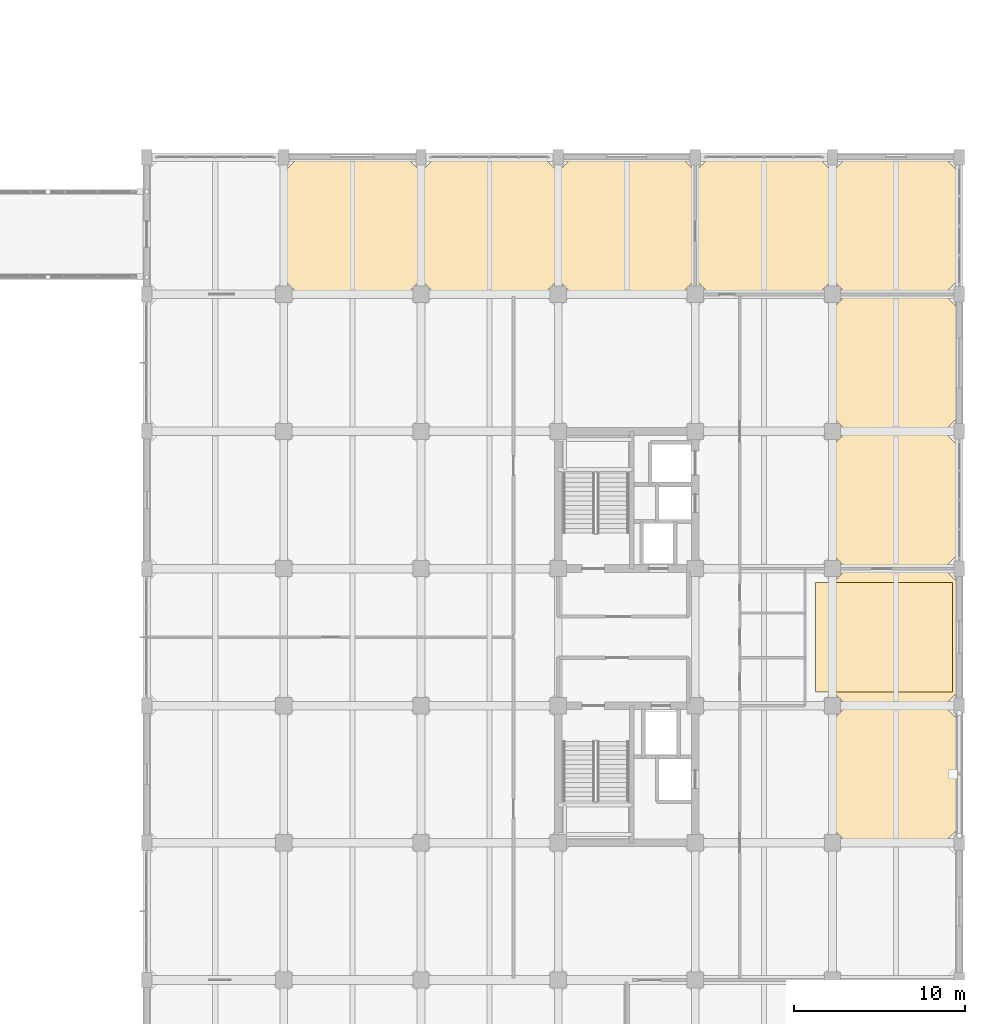
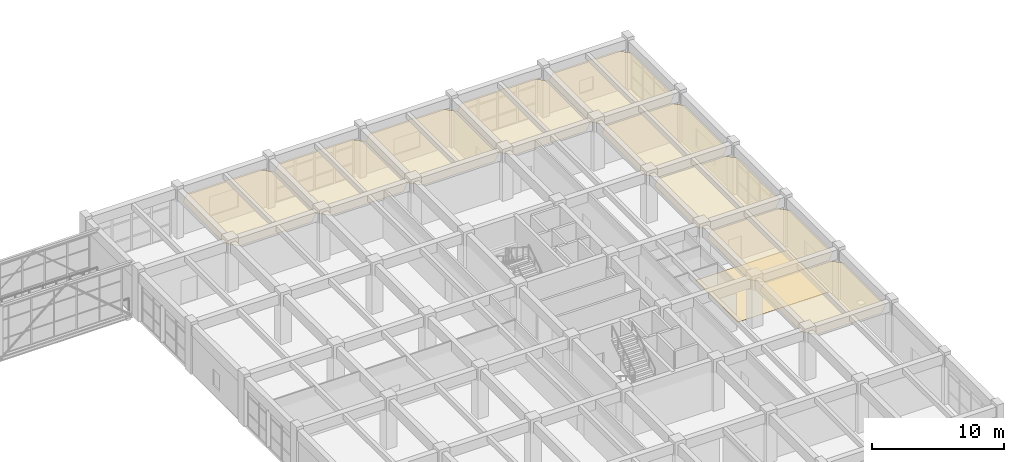
# One storey, part 248 of 248: 10 coverings.
"""IFC4 building model written with IfcOpenShell, lengths in metres."""

import ifcopenshell
import ifcopenshell.guid

model = None  # the IFC model being written
_history = None  # IfcOwnerHistory: only IFC2X3 demands one
_inside = {}  # id of a spatial element -> (the spatial element, [elements in it])
_under = {}  # id of a project, library or spatial element -> (it, [spatial elements below it])
_declared = {}  # id of a project -> (the project, [libraries it declares])
_typed = {}  # id of a type object -> (the type object, [elements of that type])
_made_of = {}  # id of a material, layer set ... -> (it, [elements and type objects made of it])


def new_model(schema):
    """Start an empty IFC model of exactly this schema.

    Asked for "IFC4X3", IfcOpenShell would pick the latest addendum, in which some entities
    have other attributes; the version numbers below select the first issue.
    IFC2X3 requires an IfcOwnerHistory on every rooted entity: one is made here for all.
    """
    global model, _history
    if schema == "IFC4X3":
        model = ifcopenshell.file(schema_version=(4, 3, 0, 0))
    else:
        model = ifcopenshell.file(schema=schema)
    _inside.clear()
    _under.clear()
    _declared.clear()
    _typed.clear()
    _made_of.clear()
    _history = None
    if model.schema == "IFC2X3":
        org = make("IfcOrganization", Name="unknown")
        user = make(
            "IfcPersonAndOrganization",
            ThePerson=make("IfcPerson", FamilyName="unknown"),
            TheOrganization=org,
        )
        app = make(
            "IfcApplication",
            ApplicationDeveloper=org,
            Version="unknown",
            ApplicationFullName="unknown",
            ApplicationIdentifier="unknown",
        )
        _history = make(
            "IfcOwnerHistory",
            OwningUser=user,
            OwningApplication=app,
            ChangeAction="ADDED",
            CreationDate=0,
        )
    return model


def make(cls, **values):
    """One entity of the class cls with the attributes given. An attribute that is None is left unset."""
    return model.create_entity(
        cls, **{name: value for name, value in values.items() if value is not None}
    )


def rooted(cls, **values):
    """An entity with a GlobalId (a new one), such as an element, a storey or a relation."""
    return make(cls, GlobalId=ifcopenshell.guid.new(), OwnerHistory=_history, **values)


def si_unit(unit_type, name, prefix=None):
    """IfcSIUnit, for example si_unit("LENGTHUNIT", "METRE", prefix="MILLI")."""
    return make("IfcSIUnit", UnitType=unit_type, Prefix=prefix, Name=name)


def assignment(units):
    """IfcUnitAssignment: the units of a project."""
    return None if units is None else make("IfcUnitAssignment", Units=units)


def point(xyz):
    """IfcCartesianPoint."""
    return None if xyz is None else make("IfcCartesianPoint", Coordinates=xyz)


def direction(xyz):
    """IfcDirection."""
    return None if xyz is None else make("IfcDirection", DirectionRatios=xyz)


def frame(location, z_axis=None, x_axis=None):
    """IfcAxis2Placement3D, a coordinate frame: its origin and axes. An axis left out is left unset."""
    return make(
        "IfcAxis2Placement3D",
        Location=point(location),
        Axis=direction(z_axis),
        RefDirection=direction(x_axis),
    )


def origin():
    """The frame at (0, 0, 0) with its axes left unset."""
    return frame((0.0, 0.0, 0.0))


def place(relative_to, where):
    """IfcLocalPlacement: puts the frame where relative to a parent placement (None: the world)."""
    return make(
        "IfcLocalPlacement", PlacementRelTo=relative_to, RelativePlacement=where
    )


def context(
    kind, dimensions, precision=None, world=None, true_north=None, identifier=None
):
    """IfcGeometricRepresentationContext, for example the 3D "Model" context."""
    return make(
        "IfcGeometricRepresentationContext",
        ContextIdentifier=identifier,
        ContextType=kind,
        CoordinateSpaceDimension=dimensions,
        Precision=precision,
        WorldCoordinateSystem=world,
        TrueNorth=true_north,
    )


def subcontext(parent, identifier, kind, view, scale=None):
    """IfcGeometricRepresentationSubContext, for example "Body" below "Model"."""
    return make(
        "IfcGeometricRepresentationSubContext",
        ContextIdentifier=identifier,
        ContextType=kind,
        ParentContext=parent,
        TargetScale=scale,
        TargetView=view,
    )


def project(units=None, contexts=None):
    """IfcProject with its units and contexts."""
    return rooted(
        "IfcProject",
        Name="project",
        RepresentationContexts=contexts,
        UnitsInContext=assignment(units),
    )


def spatial(cls, under=None, at=None, **own):
    """A site, building, storey or space (cls), placed at a placement, below another one or the project."""
    s = rooted(cls, ObjectPlacement=at, **own)
    if under is not None:
        _under.setdefault(under.id(), (under, []))[1].append(s)
    return s


def polyline(points):
    """IfcPolyline through the points."""
    return make("IfcPolyline", Points=[point(p) for p in points])


def outline(outer, holes=None, kind="AREA"):
    """IfcArbitraryClosedProfileDef: a profile drawn as a closed curve; with holes, ...WithVoids."""
    if holes is None:
        return make("IfcArbitraryClosedProfileDef", ProfileType=kind, OuterCurve=outer)
    return make(
        "IfcArbitraryProfileDefWithVoids",
        ProfileType=kind,
        OuterCurve=outer,
        InnerCurves=holes,
    )


def extrude(swept, where, along, depth):
    """IfcExtrudedAreaSolid: the profile swept, set in the frame where, extruded along a direction by depth."""
    return make(
        "IfcExtrudedAreaSolid",
        SweptArea=swept,
        Position=where,
        ExtrudedDirection=direction(along),
        Depth=depth,
    )


def shape(context_of_items, identifier, shape_type, items):
    """IfcShapeRepresentation: the items that make up one representation, for example the "Body"."""
    return make(
        "IfcShapeRepresentation",
        ContextOfItems=context_of_items,
        RepresentationIdentifier=identifier,
        RepresentationType=shape_type,
        Items=items,
    )


def material(Name=None, Category=None):
    """IfcMaterial."""
    return make("IfcMaterial", Name=Name, Category=Category)


def layer(
    of_material, thickness, ventilated=None, Name=None, Category=None, Priority=None
):
    """IfcMaterialLayer: one layer of a wall or slab, of a material (None: an air gap)."""
    return make(
        "IfcMaterialLayer",
        Material=of_material,
        LayerThickness=thickness,
        IsVentilated=ventilated,
        Name=Name,
        Category=Category,
        Priority=Priority,
    )


def layer_set(layers, Name=None):
    """IfcMaterialLayerSet."""
    return make("IfcMaterialLayerSet", MaterialLayers=layers, LayerSetName=Name)


def made_of(thing, what):
    """Note that an element or type object is made of a material, layer set ...; save() writes the relation."""
    if what is not None:
        _made_of.setdefault(what.id(), (what, []))[1].append(thing)
    return thing


def type_object(cls, material=None, **own):
    """A type object (cls), such as IfcWallType, which elements share."""
    return made_of(rooted(cls, **own), material)


def element(
    cls,
    number,
    at=None,
    inside=None,
    cuts=None,
    type_object=None,
    material=None,
    context=None,
    identifier="Body",
    shape_type=None,
    held_by="IfcProductDefinitionShape",
    body=None,
    shapes=None,
    **own,
):
    """One element of the class cls, such as IfcWall. Its Tag is "e" and its number.

    at: its placement. inside: the storey or other place that contains it. cuts: it is an
    opening in that element (IfcRelVoidsElement). A single representation is given by context,
    identifier, shape_type and body (its items); several are given by shapes. held_by: the class
    of the entity that holds the representations. save() writes the other relations.
    """
    e = rooted(cls, Tag="e%d" % number, ObjectPlacement=at, **own)
    if body is not None:
        shapes = [shape(context, identifier, shape_type, body)]
    if shapes is not None:
        e.Representation = make(held_by, Representations=shapes)
    if inside is not None:
        _inside.setdefault(inside.id(), (inside, []))[1].append(e)
    if cuts is not None:
        rooted(
            "IfcRelVoidsElement", RelatingBuildingElement=cuts, RelatedOpeningElement=e
        )
    if type_object is not None:
        _typed.setdefault(type_object.id(), (type_object, []))[1].append(e)
    return made_of(e, material)


def aggregate(whole, parts):
    """IfcRelAggregates: a whole, such as a stair, and the parts it consists of."""
    return rooted("IfcRelAggregates", RelatingObject=whole, RelatedObjects=parts)


def save(model, path):
    """Write the relations noted so far, then the file.

    IfcRelAggregates (storeys below a building ...), IfcRelContainedInSpatialStructure (elements
    in a storey), IfcRelDefinesByType, IfcRelAssociatesMaterial and IfcRelDeclares: one each for
    every whole, place, type object, material and project.
    """
    for whole, parts in _under.values():
        aggregate(whole, parts)
    for where, things in _inside.values():
        rooted(
            "IfcRelContainedInSpatialStructure",
            RelatedElements=things,
            RelatingStructure=where,
        )
    for kind, things in _typed.values():
        rooted("IfcRelDefinesByType", RelatedObjects=things, RelatingType=kind)
    for what, things in _made_of.values():
        rooted("IfcRelAssociatesMaterial", RelatedObjects=things, RelatingMaterial=what)
    for by, libraries in _declared.values():
        rooted("IfcRelDeclares", RelatingContext=by, RelatedDefinitions=libraries)
    model.write(path)


model = new_model("IFC4")

# Units and contexts
model_context = context("Model", 3, precision=1e-05, world=origin(), true_north=direction((0.0, 1.0)))
body_context = subcontext(model_context, "Body", "Model", "MODEL_VIEW")
ifc_project = project(units=[si_unit("LENGTHUNIT", "METRE"), si_unit("AREAUNIT", "SQUARE_METRE"), si_unit("VOLUMEUNIT", "CUBIC_METRE"), si_unit("PLANEANGLEUNIT", "RADIAN"), si_unit("MASSUNIT", "GRAM", prefix="KILO")], contexts=[model_context])

# Site, building, storey
site_placement = place(None, origin())
site = spatial("IfcSite", under=ifc_project, at=site_placement, CompositionType="ELEMENT")
building_placement = place(site_placement, origin())
building = spatial("IfcBuilding", under=site, at=building_placement, Name="Canggui Botanical Conservatory", CompositionType="ELEMENT")
storey_placement = place(building_placement, frame((0.0, 0.0, 5.39990234375)))
storey = spatial("IfcBuildingStorey", under=building, at=storey_placement, Name="L02", CompositionType="ELEMENT", Elevation=5.39990234375)

# Coverings
ifc_material_1 = material(Name="Mineral Fibre Acoustic Board")
ifc_layer_1 = layer(ifc_material_1, 0.014892578125, Name="Mineral Fibre Acoustic Board")
ifc_layer_set_1 = layer_set([ifc_layer_1], Name="Mineral Fibre Acoustic Board")
covering_type_1 = type_object("IfcCoveringType", Name="COV-CEIL-15", PredefinedType="CEILING", material=ifc_layer_set_1)
covering_1_placement = place(storey_placement, frame((0.0, 0.0, 3.55517578125)))
element("IfcCovering", 1, at=covering_1_placement, inside=storey, type_object=covering_type_1, Name="Suspended Acoustic Ceiling L02-138-74", PredefinedType="CEILING", context=body_context, shape_type="SweptSolid", body=[
    extrude(outline(polyline([(138.85009765625, 74.0), (145.14990234375, 74.0), (146.0, 74.85009765625), (146.0, 81.14990234375), (145.14990234375, 82.0), (138.85009765625, 82.0), (138.0, 81.14990234375), (138.0, 74.85009765625), (138.85009765625, 74.0)])), origin(), (0.0, 0.0, 1.0), 0.014892578125),
])
covering_2_placement = place(storey_placement, frame((0.0, 0.0, 3.55517578125)))
element("IfcCovering", 2, at=covering_2_placement, inside=storey, type_object=covering_type_1, Name="Suspended Acoustic Ceiling L02-154-74", PredefinedType="CEILING", context=body_context, shape_type="SweptSolid", body=[
    extrude(outline(polyline([(154.85009765625, 74.0), (161.14990234375, 74.0), (162.0, 74.85009765625), (162.0, 81.14990234375), (161.14990234375, 82.0), (154.85009765625, 82.0), (154.0, 81.14990234375), (154.0, 74.85009765625), (154.85009765625, 74.0)])), origin(), (0.0, 0.0, 1.0), 0.014892578125),
])
covering_3_placement = place(storey_placement, frame((0.0, 0.0, 3.55517578125)))
element("IfcCovering", 3, at=covering_3_placement, inside=storey, type_object=covering_type_1, Name="Suspended Acoustic Ceiling L02-170-42", PredefinedType="CEILING", context=body_context, shape_type="SweptSolid", body=[
    extrude(outline(polyline([(170.85009765625, 42.0), (176.5, 42.0), (177.35009765625, 42.85009765625), (177.35009765625, 49.14990234375), (176.5, 50.0), (170.85009765625, 50.0), (170.0, 49.14990234375), (170.0, 42.85009765625), (170.85009765625, 42.0)])), origin(), (0.0, 0.0, 1.0), 0.014892578125),
])
covering_4_placement = place(storey_placement, frame((0.0, 0.0, 3.55517578125)))
element("IfcCovering", 4, at=covering_4_placement, inside=storey, type_object=covering_type_1, Name="Suspended Acoustic Ceiling L02-170-58", PredefinedType="CEILING", context=body_context, shape_type="SweptSolid", body=[
    extrude(outline(polyline([(170.85009765625, 58.0), (176.5, 58.0), (177.35009765625, 58.85009765625), (177.35009765625, 65.14990234375), (176.5, 66.0), (170.85009765625, 66.0), (170.0, 65.14990234375), (170.0, 58.85009765625), (170.85009765625, 58.0)])), origin(), (0.0, 0.0, 1.0), 0.014892578125),
])
covering_5_placement = place(storey_placement, frame((0.0, 0.0, 3.55517578125)))
element("IfcCovering", 5, at=covering_5_placement, inside=storey, type_object=covering_type_1, Name="Suspended Acoustic Ceiling L02-170-74", PredefinedType="CEILING", context=body_context, shape_type="SweptSolid", body=[
    extrude(outline(polyline([(170.85009765625, 74.0), (176.5, 74.0), (177.35009765625, 74.85009765625), (177.35009765625, 81.14990234375), (176.5, 82.0), (170.85009765625, 82.0), (170.0, 81.14990234375), (170.0, 74.85009765625), (170.85009765625, 74.0)])), origin(), (0.0, 0.0, 1.0), 0.014892578125),
])
ifc_material_2 = material(Name="Perforated Gypsum Acoustic Panel")
ifc_layer_2 = layer(ifc_material_2, 0.02001953125, Name="Perforated Gypsum Acoustic Panel")
ifc_layer_set_2 = layer_set([ifc_layer_2], Name="Perforated Gypsum Acoustic Panel")
covering_type_2 = type_object("IfcCoveringType", Name="COV-CEIL-20", PredefinedType="CEILING", material=ifc_layer_set_2)
covering_6_placement = place(storey_placement, frame((0.0, 0.0, 3.550048828125)))
element("IfcCovering", 6, at=covering_6_placement, inside=storey, type_object=covering_type_2, Name="Suspended Acoustic Ceiling L02-146-74", PredefinedType="CEILING", context=body_context, shape_type="SweptSolid", body=[
    extrude(outline(polyline([(146.85009765625, 74.0), (153.14990234375, 74.0), (154.0, 74.85009765625), (154.0, 81.14990234375), (153.14990234375, 82.0), (146.85009765625, 82.0), (146.0, 81.14990234375), (146.0, 74.85009765625), (146.85009765625, 74.0)])), origin(), (0.0, 0.0, 1.0), 0.02001953125),
])
covering_7_placement = place(storey_placement, frame((0.0, 0.0, 3.550048828125)))
element("IfcCovering", 7, at=covering_7_placement, inside=storey, type_object=covering_type_2, Name="Suspended Acoustic Ceiling L02-162-74", PredefinedType="CEILING", context=body_context, shape_type="SweptSolid", body=[
    extrude(outline(polyline([(162.85009765625, 74.0), (169.14990234375, 74.0), (170.0, 74.85009765625), (170.0, 81.14990234375), (169.14990234375, 82.0), (162.85009765625, 82.0), (162.0, 81.14990234375), (162.0, 74.85009765625), (162.85009765625, 74.0)])), origin(), (0.0, 0.0, 1.0), 0.02001953125),
])
covering_8_placement = place(storey_placement, frame((0.0, 0.0, 3.550048828125)))
element("IfcCovering", 8, at=covering_8_placement, inside=storey, type_object=covering_type_2, Name="Suspended Acoustic Ceiling L02-170-50", PredefinedType="CEILING", context=body_context, shape_type="SweptSolid", body=[
    extrude(outline(polyline([(170.85009765625, 50.0), (176.5, 50.0), (177.35009765625, 50.85009765625), (177.35009765625, 57.14990234375), (176.5, 58.0), (170.85009765625, 58.0), (170.0, 57.14990234375), (170.0, 50.85009765625), (170.85009765625, 50.0)])), origin(), (0.0, 0.0, 1.0), 0.02001953125),
])
covering_9_placement = place(storey_placement, frame((0.0, 0.0, 3.550048828125)))
element("IfcCovering", 9, at=covering_9_placement, inside=storey, type_object=covering_type_2, Name="Suspended Acoustic Ceiling L02-170-66", PredefinedType="CEILING", context=body_context, shape_type="SweptSolid", body=[
    extrude(outline(polyline([(170.85009765625, 66.0), (176.5, 66.0), (177.35009765625, 66.85009765625), (177.35009765625, 73.14990234375), (176.5, 74.0), (170.85009765625, 74.0), (170.0, 73.14990234375), (170.0, 66.85009765625), (170.85009765625, 66.0)])), origin(), (0.0, 0.0, 1.0), 0.02001953125),
])
ifc_material_3 = material(Name="Honed Granite Stone Tile", Category="masonry")
ifc_layer_3 = layer(ifc_material_3, 0.02001953125, Name="Honed Granite Stone Tile", Category="masonry")
ifc_layer_set_3 = layer_set([ifc_layer_3], Name="Honed Granite Stone Tile")
covering_type_3 = type_object("IfcCoveringType", Name="COV-FLR-20", PredefinedType="FLOORING", material=ifc_layer_set_3)
covering_10_placement = place(storey_placement, origin())
element("IfcCovering", 10, at=covering_10_placement, inside=storey, type_object=covering_type_3, Name="Laboratory Finish Flooring L02", PredefinedType="FLOORING", context=body_context, shape_type="SweptSolid", body=[
    extrude(outline(polyline([(169.0, 50.800048828125), (177.0, 50.800048828125), (177.0, 57.199951171875), (169.0, 57.199951171875), (169.0, 50.800048828125)])), origin(), (0.0, 0.0, 1.0), 0.02001953125),
])

save(model, "model.ifc")
